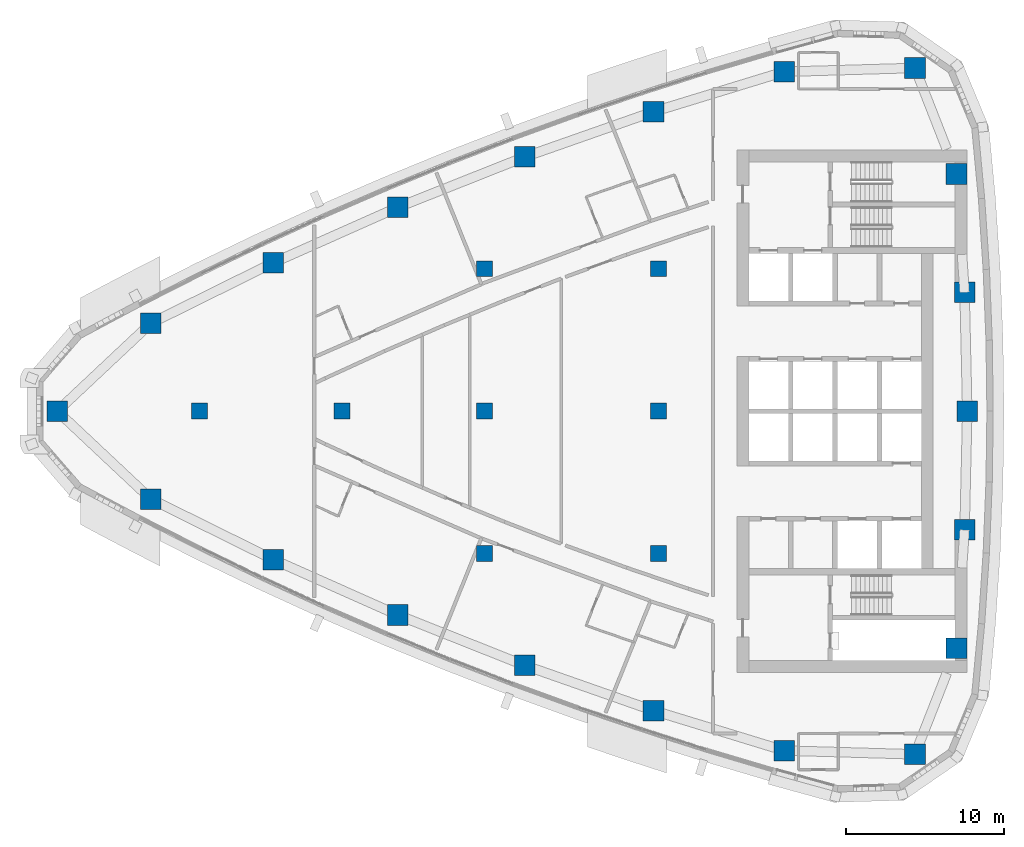
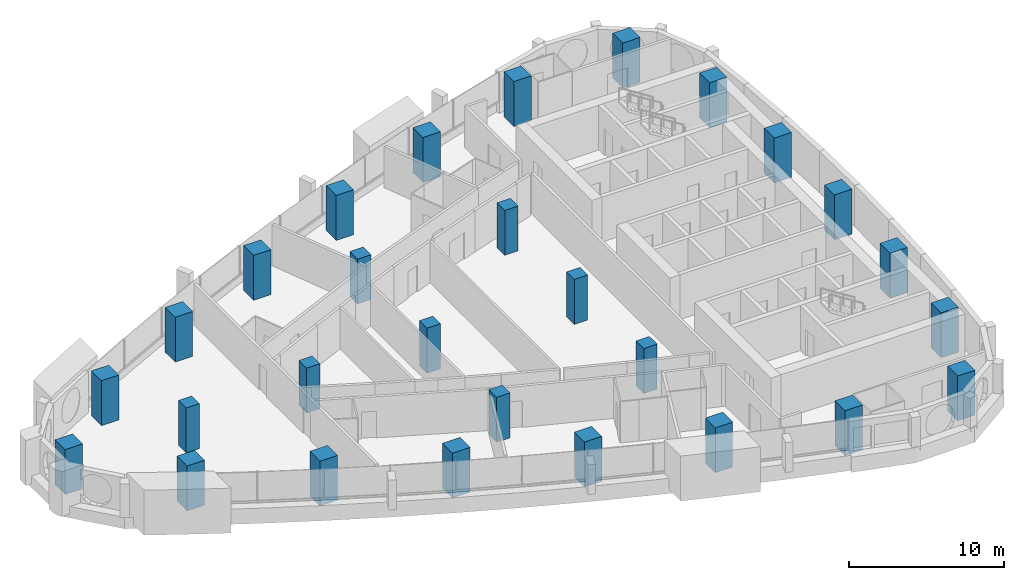
# One storey, part 1 of 16: 28 columns.
"""IFC4 building model written with IfcOpenShell, lengths in metres."""

from ifc_helpers import new_model, si_unit, direction, frame, origin, origin_2d, place, context, subcontext, project, spatial, rectangle, extrude, material, material_profile, profile_set, type_object, element, save


model = new_model("IFC4")

# Units and contexts
model_context = context("Model", 3, precision=1e-05, world=origin(), true_north=direction((0.0, 1.0)))
body_context = subcontext(model_context, "Body", "Model", "MODEL_VIEW")
ifc_project = project(units=[si_unit("LENGTHUNIT", "METRE"), si_unit("AREAUNIT", "SQUARE_METRE"), si_unit("VOLUMEUNIT", "CUBIC_METRE"), si_unit("PLANEANGLEUNIT", "RADIAN"), si_unit("MASSUNIT", "GRAM", prefix="KILO")], contexts=[model_context])

# Site, building, storey
site_placement = place(None, origin())
site = spatial("IfcSite", under=ifc_project, at=site_placement, CompositionType="ELEMENT")
building_placement = place(site_placement, origin())
building = spatial("IfcBuilding", under=site, at=building_placement, Name="Ostrand Prow Hotel Tower", CompositionType="ELEMENT")
storey_placement = place(building_placement, frame((0.0, 0.0, 186.14990234375)))
storey = spatial("IfcBuildingStorey", under=building, at=storey_placement, Name="L46", CompositionType="ELEMENT", Elevation=186.14990234375)

# Columns
ifc_material_1 = material(Name="Concrete C60/75", Category="concrete")
ifc_material_profile_1 = material_profile(ifc_material_1, rectangle(XDim=1.0, YDim=1.0, at=origin_2d()), Name="RC 1000x1000")
ifc_profile_set_1 = profile_set([ifc_material_profile_1], Name="Concrete C60/75")
column_type_1 = type_object("IfcColumnType", Name="Interior column 1000x1000 C60/75", PredefinedType="COLUMN", material=ifc_profile_set_1)
for number, where, z_axis, x_axis, name in (
    (1, (16.0, 0.0, 0.0), (0.0, 0.0, 1.0), (1.0, 0.0, 0.0), "Interior column 16C0"),
    (2, (25.0, 0.0, 0.0), (0.0, 0.0, 1.0), (1.0, 0.0, 0.0), "Interior column 25C0"),
    (3, (34.0, -9.0, 0.0), (0.0, 0.0, 1.0), (1.0, 0.0, 0.0), "Interior column 34S9"),
    (4, (34.0, 0.0, 0.0), (0.0, 0.0, 1.0), (1.0, 0.0, 0.0), "Interior column 34C0"),
    (5, (34.0, 9.0, 0.0), (0.0, 0.0, 1.0), (1.0, 0.0, 0.0), "Interior column 34N9"),
    (6, (45.0, -9.0, 0.0), (0.0, 0.0, 1.0), (1.0, 0.0, 0.0), "Interior column 45S9"),
    (7, (45.0, 0.0, 0.0), (0.0, 0.0, 1.0), (1.0, 0.0, 0.0), "Interior column 45C0"),
    (8, (45.0, 9.0, 0.0), (0.0, 0.0, 1.0), (1.0, 0.0, 0.0), "Interior column 45N9"),
):
    element("IfcColumn", number, at=place(storey_placement, frame(where, z_axis=z_axis, x_axis=x_axis)), inside=storey, type_object=column_type_1, Name=name, PredefinedType="COLUMN", context=body_context, shape_type="SweptSolid", body=[
        extrude(rectangle(XDim=1.0, YDim=1.0, at=origin_2d()), origin(), (0.0, 0.0, 1.0), 3.550048828125),
    ])
ifc_material_2 = material(Name="Concrete C60/75", Category="concrete")
ifc_material_profile_2 = material_profile(ifc_material_2, rectangle(XDim=1.300048828125, YDim=1.300048828125, at=origin_2d()), Name="RC 1300x1300")
ifc_profile_set_2 = profile_set([ifc_material_profile_2], Name="Concrete C60/75")
column_type_2 = type_object("IfcColumnType", Name="Stone-faced mega column 1300x1300 C60/75", PredefinedType="COLUMN", material=ifc_profile_set_2)
for number, where, z_axis, x_axis, name in (
    (9, (7.01708984375, 0.0, 0.0), (0.0, 0.0, 1.0), (1.0, 0.0, 0.0), "Mega column P"),
    (10, (12.9287109375, -5.551513671875, 0.0), (0.0, 0.0, 1.0), (1.0, 0.0, 0.0), "Mega column S1"),
    (11, (20.656982421875, -9.373291015625, 0.0), (0.0, 0.0, 1.0), (1.0, 0.0, 0.0), "Mega column S2"),
    (12, (28.5341796875, -12.878173828125, 0.0), (0.0, 0.0, 1.0), (1.0, 0.0, 0.0), "Mega column S3"),
    (13, (36.547119140625, -16.060791015625, 0.0), (0.0, 0.0, 1.0), (1.0, 0.0, 0.0), "Mega column S4"),
    (14, (44.6826171875, -18.91552734375, 0.0), (0.0, 0.0, 1.0), (1.0, 0.0, 0.0), "Mega column S5"),
    (15, (52.92724609375, -21.43798828125, 0.0), (0.0, 0.0, 1.0), (1.0, 0.0, 0.0), "Mega column S6"),
    (16, (61.198486328125, -21.678955078125, 0.0), (0.0, 0.0, 1.0), (1.0, 0.0, 0.0), "Mega column SE"),
    (17, (63.822021484375, -14.983154296875, 0.0), (0.0, 0.0, 1.0), (1.0, 0.0, 0.0), "Mega column B1"),
    (18, (64.330322265625, -7.499267578125, 0.0), (0.0, 0.0, 1.0), (1.0, 0.0, 0.0), "Mega column B2"),
    (19, (64.5, 0.0, 0.0), (0.0, 0.0, 1.0), (1.0, 0.0, 0.0), "Mega column B3"),
    (20, (64.330322265625, 7.499267578125, 0.0), (0.0, 0.0, 1.0), (1.0, 0.0, 0.0), "Mega column B4"),
    (21, (63.822021484375, 14.983154296875, 0.0), (0.0, 0.0, 1.0), (1.0, 0.0, 0.0), "Mega column B5"),
    (22, (61.198486328125, 21.678955078125, 0.0), (0.0, 0.0, 1.0), (1.0, 0.0, 0.0), "Mega column NE"),
    (23, (52.92724609375, 21.43798828125, 0.0), (0.0, 0.0, 1.0), (1.0, 0.0, 0.0), "Mega column N1"),
    (24, (44.6826171875, 18.91552734375, 0.0), (0.0, 0.0, 1.0), (1.0, 0.0, 0.0), "Mega column N2"),
    (25, (36.547119140625, 16.060791015625, 0.0), (0.0, 0.0, 1.0), (1.0, 0.0, 0.0), "Mega column N3"),
    (26, (28.5341796875, 12.878173828125, 0.0), (0.0, 0.0, 1.0), (1.0, 0.0, 0.0), "Mega column N4"),
    (27, (20.656982421875, 9.373291015625, 0.0), (0.0, 0.0, 1.0), (1.0, 0.0, 0.0), "Mega column N5"),
    (28, (12.9287109375, 5.551513671875, 0.0), (0.0, 0.0, 1.0), (1.0, 0.0, 0.0), "Mega column N6"),
):
    element("IfcColumn", number, at=place(storey_placement, frame(where, z_axis=z_axis, x_axis=x_axis)), inside=storey, type_object=column_type_2, Name=name, PredefinedType="COLUMN", context=body_context, shape_type="SweptSolid", body=[
        extrude(rectangle(XDim=1.300048828125, YDim=1.300048828125, at=origin_2d()), origin(), (0.0, 0.0, 1.0), 3.550048828125),
    ])

save(model, "model.ifc")
